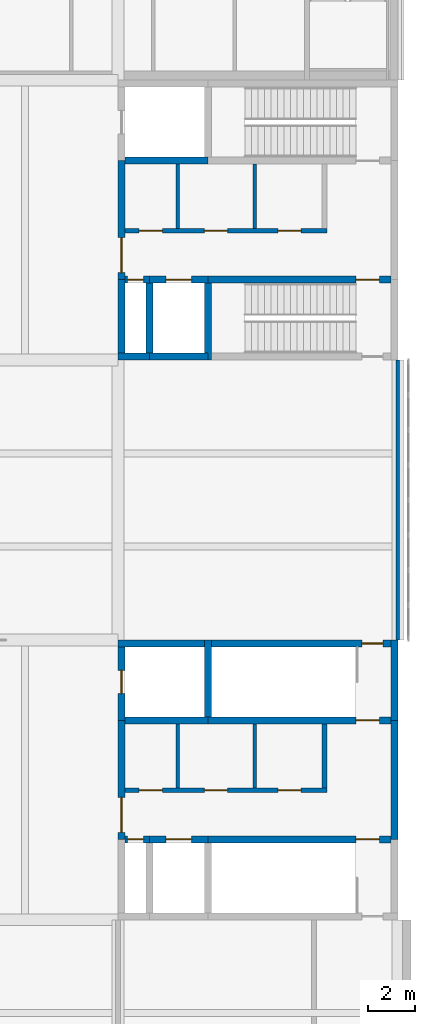
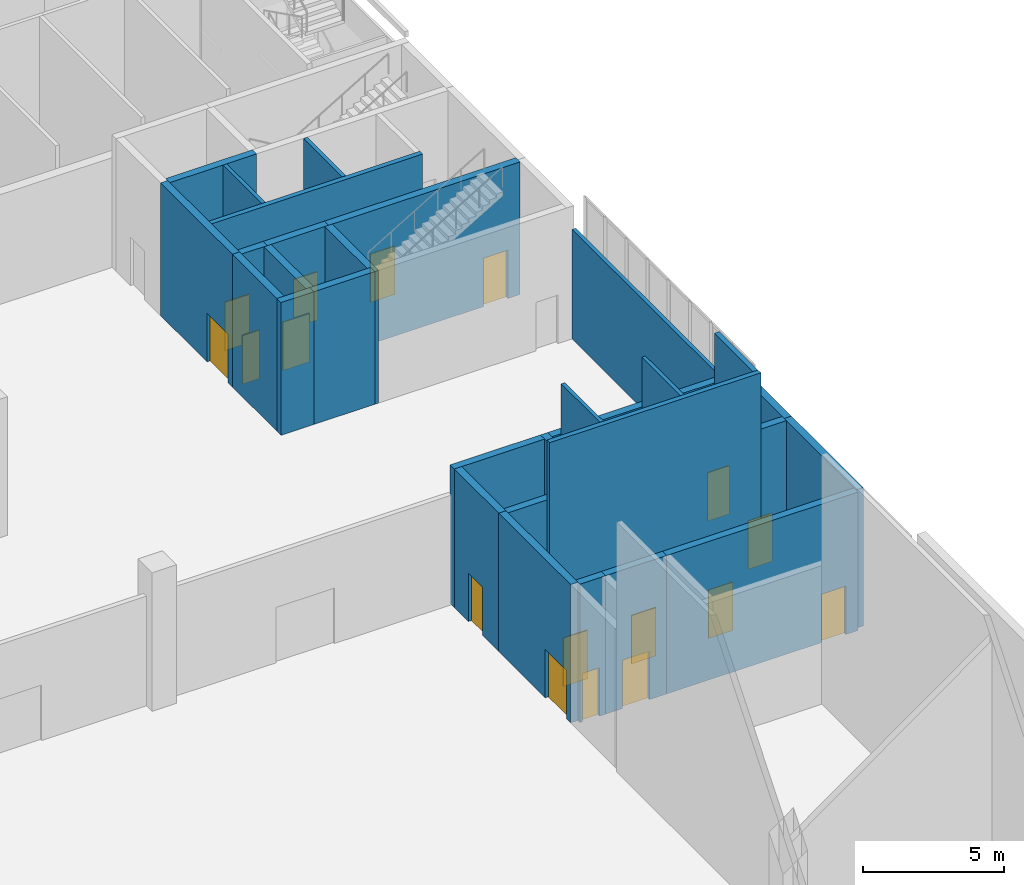
# One storey, part 62 of 72: 30 walls, 17 doors, 17 openings.
"""IFC4 building model written with IfcOpenShell, lengths in metres."""

from ifc_helpers import new_model, si_unit, direction, frame, frame_2d, origin, place, context, subcontext, project, spatial, rectangle, extrude, material, layer, layer_set, type_object, element, fill, save


model = new_model("IFC4")

# Units and contexts
model_context = context("Model", 3, precision=1e-05, world=origin(), true_north=direction((0.0, 1.0)))
body_context = subcontext(model_context, "Body", "Model", "MODEL_VIEW")
ifc_project = project(units=[si_unit("LENGTHUNIT", "METRE"), si_unit("AREAUNIT", "SQUARE_METRE"), si_unit("VOLUMEUNIT", "CUBIC_METRE"), si_unit("PLANEANGLEUNIT", "RADIAN"), si_unit("MASSUNIT", "GRAM", prefix="KILO")], contexts=[model_context])

# Site, building, storey
site_placement = place(None, origin())
site = spatial("IfcSite", under=ifc_project, at=site_placement, CompositionType="ELEMENT")
building_placement = place(site_placement, origin())
building = spatial("IfcBuilding", under=site, at=building_placement, Name="Lilac Gate Convention Centre", CompositionType="ELEMENT")
storey_placement = place(building_placement, frame((0.0, 0.0, 6.0)))
storey = spatial("IfcBuildingStorey", under=building, at=storey_placement, Name="L01", CompositionType="ELEMENT", Elevation=6.0)

# Walls
ifc_material_1 = material(Name="Fire-rated gypsum board on steel stud", Category="steel")
ifc_layer_1 = layer(ifc_material_1, 0.14990234375)
ifc_layer_set_1 = layer_set([ifc_layer_1], Name="Fire-rated gypsum board on steel stud")
wall_type_1 = type_object("IfcWallType", Name="Partition 150 fire-rated gypsum board EI 60", PredefinedType="PARTITIONING", material=ifc_layer_set_1)
wall_1_placement = place(storey_placement, frame((80.550048828125, 191.64990234375, 0.0), z_axis=(0.0, 0.0, 1.0), x_axis=(0.0, 1.0, 0.0)))
element("IfcWall", 1, at=wall_1_placement, inside=storey, type_object=wall_type_1, Name="Partition 150 fire-rated gypsum board EI 60", PredefinedType="PARTITIONING", context=body_context, shape_type="SweptSolid", body=[
    extrude(rectangle(XDim=2.75, YDim=0.14990234375, at=frame_2d((1.375, 0.0))), origin(), (0.0, 0.0, 1.0), 10.824951171875),
])
wall_2_placement = place(storey_placement, frame((80.550048828125, 215.64990234375, 0.0), z_axis=(0.0, 0.0, 1.0), x_axis=(0.0, 1.0, 0.0)))
element("IfcWall", 2, at=wall_2_placement, inside=storey, type_object=wall_type_1, Name="Partition 150 fire-rated gypsum board EI 60", PredefinedType="PARTITIONING", context=body_context, shape_type="SweptSolid", body=[
    extrude(rectangle(XDim=2.75, YDim=0.14990234375, at=frame_2d((1.375, 0.0))), origin(), (0.0, 0.0, 1.0), 5.75),
])
wall_3_placement = place(storey_placement, frame((83.85009765625, 191.64990234375, 0.0), z_axis=(0.0, 0.0, 1.0), x_axis=(0.0, 1.0, 0.0)))
element("IfcWall", 3, at=wall_3_placement, inside=storey, type_object=wall_type_1, Name="Partition 150 fire-rated gypsum board EI 60", PredefinedType="PARTITIONING", context=body_context, shape_type="SweptSolid", body=[
    extrude(rectangle(XDim=2.75, YDim=0.14990234375, at=frame_2d((1.375, 0.0))), origin(), (0.0, 0.0, 1.0), 10.824951171875),
])
wall_4_placement = place(storey_placement, frame((83.85009765625, 215.64990234375, 0.0), z_axis=(0.0, 0.0, 1.0), x_axis=(0.0, 1.0, 0.0)))
element("IfcWall", 4, at=wall_4_placement, inside=storey, type_object=wall_type_1, Name="Partition 150 fire-rated gypsum board EI 60", PredefinedType="PARTITIONING", context=body_context, shape_type="SweptSolid", body=[
    extrude(rectangle(XDim=2.75, YDim=0.14990234375, at=frame_2d((1.375, 0.0))), origin(), (0.0, 0.0, 1.0), 5.75),
])
wall_5_placement = place(storey_placement, frame((90.0, 198.0, 0.0), z_axis=(0.0, 0.0, 1.0), x_axis=(0.0, 1.0, 0.0)))
element("IfcWall", 5, at=wall_5_placement, inside=storey, type_object=wall_type_1, Name="Partition 150 fire-rated gypsum board EI 60", PredefinedType="PARTITIONING", context=body_context, shape_type="SweptSolid", body=[
    extrude(rectangle(XDim=12.0, YDim=0.14990234375, at=frame_2d((6.0, 0.0))), origin(), (0.0, 0.0, 1.0), 4.75),
])

# Wall, openings, doors
ifc_material_2 = material(Name="Clay brick masonry", Category="masonry")
ifc_layer_2 = layer(ifc_material_2, 0.199951171875)
ifc_layer_set_2 = layer_set([ifc_layer_2], Name="Clay brick masonry")
wall_type_2 = type_object("IfcWallType", Name="Partition 200 brick EI 60", PredefinedType="PARTITIONING", material=ifc_layer_set_2)
wall_6_placement = place(storey_placement, frame((78.300048828125, 191.550048828125, 0.0), z_axis=(0.0, 0.0, 1.0), x_axis=(1.0, 0.0, 0.0)))
wall_6 = element("IfcWall", 6, at=wall_6_placement, inside=storey, type_object=wall_type_2, Name="Partition 200 brick EI 60", PredefinedType="PARTITIONING", context=body_context, shape_type="SweptSolid", body=[
    extrude(rectangle(XDim=8.64990234375, YDim=0.199951171875, at=frame_2d((4.324951171875, 0.0))), origin(), (0.0, 0.0, 1.0), 10.824951171875),
])
opening_1_placement = place(wall_6_placement, frame((0.60009765625, 0.0, 0.0)))
opening_1 = element("IfcOpeningElement", 7, at=opening_1_placement, cuts=wall_6, Name="Opening L01-087", PredefinedType="OPENING", context=body_context, shape_type="SweptSolid", body=[
    extrude(rectangle(XDim=1.0, YDim=2.10009765625, at=frame_2d((0.5, 1.050048828125))), frame((0.0, 0.10986328125, 0.0), z_axis=(0.0, -1.0, 0.0), x_axis=(1.0, 0.0, 0.0)), (0.0, 0.0, 1.0), 0.219970703125),
])
opening_2_placement = place(wall_6_placement, frame((3.39990234375, 0.0, 0.0)))
opening_2 = element("IfcOpeningElement", 8, at=opening_2_placement, cuts=wall_6, Name="Opening L01-088", PredefinedType="OPENING", context=body_context, shape_type="SweptSolid", body=[
    extrude(rectangle(XDim=1.0, YDim=2.10009765625, at=frame_2d((0.5, 1.050048828125))), frame((0.0, 0.10986328125, 0.0), z_axis=(0.0, -1.0, 0.0), x_axis=(1.0, 0.0, 0.0)), (0.0, 0.0, 1.0), 0.219970703125),
])
opening_3_placement = place(wall_6_placement, frame((6.550048828125, 0.0, 0.0)))
opening_3 = element("IfcOpeningElement", 9, at=opening_3_placement, cuts=wall_6, Name="Opening L01-089", PredefinedType="OPENING", context=body_context, shape_type="SweptSolid", body=[
    extrude(rectangle(XDim=1.0, YDim=2.10009765625, at=frame_2d((0.5, 1.050048828125))), frame((0.0, 0.10986328125, 0.0), z_axis=(0.0, -1.0, 0.0), x_axis=(1.0, 0.0, 0.0)), (0.0, 0.0, 1.0), 0.219970703125),
])
ifc_material_3 = material(Name="Timber fire door leaf", Category="wood")
door_type_1 = type_object("IfcDoorType", Name="Door 1000 x 2100 single leaf FD30", OperationType="SINGLE_SWING_LEFT", PredefinedType="DOOR", material=ifc_material_3)
door_1_placement = place(opening_1_placement, origin())
door_1 = element("IfcDoor", 10, at=door_1_placement, inside=storey, type_object=door_type_1, Name="Accessible WC door L01-087", OperationType="SINGLE_SWING_RIGHT", OverallHeight=2.10009765625, OverallWidth=1.0, PredefinedType="DOOR", context=body_context, shape_type="SweptSolid", body=[
    extrude(rectangle(XDim=1.0, YDim=2.10009765625, at=frame_2d((0.5, 1.050048828125))), frame((0.0, 0.02490234375, 0.0), z_axis=(0.0, -1.0, 0.0), x_axis=(1.0, 0.0, 0.0)), (0.0, 0.0, 1.0), 0.050048828125),
])
fill(opening_1, door_1)
door_2_placement = place(opening_2_placement, origin())
door_2 = element("IfcDoor", 11, at=door_2_placement, inside=storey, type_object=door_type_1, Name="WC door L01-088", OperationType="SINGLE_SWING_LEFT", OverallHeight=2.10009765625, OverallWidth=1.0, PredefinedType="DOOR", context=body_context, shape_type="SweptSolid", body=[
    extrude(rectangle(XDim=1.0, YDim=2.10009765625, at=frame_2d((0.5, 1.050048828125))), frame((0.0, 0.02490234375, 0.0), z_axis=(0.0, -1.0, 0.0), x_axis=(1.0, 0.0, 0.0)), (0.0, 0.0, 1.0), 0.050048828125),
])
fill(opening_2, door_2)
door_3_placement = place(opening_3_placement, origin())
door_3 = element("IfcDoor", 12, at=door_3_placement, inside=storey, type_object=door_type_1, Name="WC door L01-089", OperationType="SINGLE_SWING_RIGHT", OverallHeight=2.10009765625, OverallWidth=1.0, PredefinedType="DOOR", context=body_context, shape_type="SweptSolid", body=[
    extrude(rectangle(XDim=1.0, YDim=2.10009765625, at=frame_2d((0.5, 1.050048828125))), frame((0.0, 0.02490234375, 0.0), z_axis=(0.0, -1.0, 0.0), x_axis=(1.0, 0.0, 0.0)), (0.0, 0.0, 1.0), 0.050048828125),
])
fill(opening_3, door_3)

wall_7_placement = place(storey_placement, frame((78.300048828125, 215.550048828125, 0.0), z_axis=(0.0, 0.0, 1.0), x_axis=(1.0, 0.0, 0.0)))
wall_7 = element("IfcWall", 13, at=wall_7_placement, inside=storey, type_object=wall_type_2, Name="Partition 200 brick EI 60", PredefinedType="PARTITIONING", context=body_context, shape_type="SweptSolid", body=[
    extrude(rectangle(XDim=8.64990234375, YDim=0.199951171875, at=frame_2d((4.324951171875, 0.0))), origin(), (0.0, 0.0, 1.0), 5.75),
])
opening_4_placement = place(wall_7_placement, frame((0.60009765625, 0.0, 0.0)))
opening_4 = element("IfcOpeningElement", 14, at=opening_4_placement, cuts=wall_7, Name="Opening L01-111", PredefinedType="OPENING", context=body_context, shape_type="SweptSolid", body=[
    extrude(rectangle(XDim=1.0, YDim=2.10009765625, at=frame_2d((0.5, 1.050048828125))), frame((0.0, 0.10986328125, 0.0), z_axis=(0.0, -1.0, 0.0), x_axis=(1.0, 0.0, 0.0)), (0.0, 0.0, 1.0), 0.219970703125),
])
opening_5_placement = place(wall_7_placement, frame((3.39990234375, 0.0, 0.0)))
opening_5 = element("IfcOpeningElement", 15, at=opening_5_placement, cuts=wall_7, Name="Opening L01-112", PredefinedType="OPENING", context=body_context, shape_type="SweptSolid", body=[
    extrude(rectangle(XDim=1.0, YDim=2.10009765625, at=frame_2d((0.5, 1.050048828125))), frame((0.0, 0.10986328125, 0.0), z_axis=(0.0, -1.0, 0.0), x_axis=(1.0, 0.0, 0.0)), (0.0, 0.0, 1.0), 0.219970703125),
])
opening_6_placement = place(wall_7_placement, frame((6.550048828125, 0.0, 0.0)))
opening_6 = element("IfcOpeningElement", 16, at=opening_6_placement, cuts=wall_7, Name="Opening L01-113", PredefinedType="OPENING", context=body_context, shape_type="SweptSolid", body=[
    extrude(rectangle(XDim=1.0, YDim=2.10009765625, at=frame_2d((0.5, 1.050048828125))), frame((0.0, 0.10986328125, 0.0), z_axis=(0.0, -1.0, 0.0), x_axis=(1.0, 0.0, 0.0)), (0.0, 0.0, 1.0), 0.219970703125),
])
door_4_placement = place(opening_4_placement, origin())
door_4 = element("IfcDoor", 17, at=door_4_placement, inside=storey, type_object=door_type_1, Name="Accessible WC door L01-111", OperationType="SINGLE_SWING_RIGHT", OverallHeight=2.10009765625, OverallWidth=1.0, PredefinedType="DOOR", context=body_context, shape_type="SweptSolid", body=[
    extrude(rectangle(XDim=1.0, YDim=2.10009765625, at=frame_2d((0.5, 1.050048828125))), frame((0.0, 0.02490234375, 0.0), z_axis=(0.0, -1.0, 0.0), x_axis=(1.0, 0.0, 0.0)), (0.0, 0.0, 1.0), 0.050048828125),
])
fill(opening_4, door_4)
door_5_placement = place(opening_5_placement, origin())
door_5 = element("IfcDoor", 18, at=door_5_placement, inside=storey, type_object=door_type_1, Name="WC door L01-112", OperationType="SINGLE_SWING_LEFT", OverallHeight=2.10009765625, OverallWidth=1.0, PredefinedType="DOOR", context=body_context, shape_type="SweptSolid", body=[
    extrude(rectangle(XDim=1.0, YDim=2.10009765625, at=frame_2d((0.5, 1.050048828125))), frame((0.0, 0.02490234375, 0.0), z_axis=(0.0, -1.0, 0.0), x_axis=(1.0, 0.0, 0.0)), (0.0, 0.0, 1.0), 0.050048828125),
])
fill(opening_5, door_5)
door_6_placement = place(opening_6_placement, origin())
door_6 = element("IfcDoor", 19, at=door_6_placement, inside=storey, type_object=door_type_1, Name="WC door L01-113", OperationType="SINGLE_SWING_RIGHT", OverallHeight=2.10009765625, OverallWidth=1.0, PredefinedType="DOOR", context=body_context, shape_type="SweptSolid", body=[
    extrude(rectangle(XDim=1.0, YDim=2.10009765625, at=frame_2d((0.5, 1.050048828125))), frame((0.0, 0.02490234375, 0.0), z_axis=(0.0, -1.0, 0.0), x_axis=(1.0, 0.0, 0.0)), (0.0, 0.0, 1.0), 0.050048828125),
])
fill(opening_6, door_6)

# Wall
wall_8_placement = place(storey_placement, frame((86.85009765625, 191.64990234375, 0.0), z_axis=(0.0, 0.0, 1.0), x_axis=(0.0, 1.0, 0.0)))
element("IfcWall", 20, at=wall_8_placement, inside=storey, type_object=wall_type_2, Name="Partition 200 brick EI 60", PredefinedType="PARTITIONING", context=body_context, shape_type="SweptSolid", body=[
    extrude(rectangle(XDim=2.75, YDim=0.199951171875, at=frame_2d((1.375, 0.0))), origin(), (0.0, 0.0, 1.0), 10.824951171875),
])

# Wall, opening, door
ifc_material_4 = material(Name="Concrete C40", Category="concrete")
ifc_layer_3 = layer(ifc_material_4, 0.300048828125)
ifc_layer_set_3 = layer_set([ifc_layer_3], Name="Concrete C40")
wall_type_3 = type_object("IfcWallType", Name="Shear wall 300 C40", PredefinedType="SHEAR", material=ifc_layer_set_3)
wall_9_placement = place(storey_placement, frame((90.0, 197.85009765625, 0.0), z_axis=(0.0, 0.0, 1.0), x_axis=(-1.0, 0.0, 0.0)))
wall_9 = element("IfcWall", 21, at=wall_9_placement, inside=storey, type_object=wall_type_3, Name="SW1 shear wall E3 L01 4", PredefinedType="SHEAR", context=body_context, shape_type="SweptSolid", body=[
    extrude(rectangle(XDim=8.14990234375, YDim=0.300048828125, at=frame_2d((4.074951171875, 0.0))), origin(), (0.0, 0.0, 1.0), 6.0),
])
opening_7_placement = place(wall_9_placement, frame((0.64990234375, 0.0, 0.0)))
opening_7 = element("IfcOpeningElement", 22, at=opening_7_placement, cuts=wall_9, Name="Opening L01-093", PredefinedType="OPENING", context=body_context, shape_type="SweptSolid", body=[
    extrude(rectangle(XDim=0.89990234375, YDim=2.10009765625, at=frame_2d((0.449951171875, 1.050048828125))), frame((0.0, 0.159912109375, 0.0), z_axis=(0.0, -1.0, 0.0), x_axis=(1.0, 0.0, 0.0)), (0.0, 0.0, 1.0), 0.320068359375),
])
door_type_2 = type_object("IfcDoorType", Name="Door 900 x 2100 single leaf FD60", OperationType="SINGLE_SWING_LEFT", PredefinedType="DOOR", material=ifc_material_3)
door_7_placement = place(opening_7_placement, origin())
door_7 = element("IfcDoor", 23, at=door_7_placement, inside=storey, type_object=door_type_2, Name="Stair door L01-093", OperationType="SINGLE_SWING_RIGHT", OverallHeight=2.10009765625, OverallWidth=0.89990234375, PredefinedType="DOOR", context=body_context, shape_type="SweptSolid", body=[
    extrude(rectangle(XDim=0.89990234375, YDim=2.10009765625, at=frame_2d((0.449951171875, 1.050048828125))), frame((0.0, 0.02490234375, 0.0), z_axis=(0.0, -1.0, 0.0), x_axis=(1.0, 0.0, 0.0)), (0.0, 0.0, 1.0), 0.050048828125),
])
fill(opening_7, door_7)

# Wall
wall_10_placement = place(storey_placement, frame((81.85009765625, 197.85009765625, 0.0), z_axis=(0.0, 0.0, 1.0), x_axis=(-1.0, 0.0, 0.0)))
element("IfcWall", 24, at=wall_10_placement, inside=storey, type_object=wall_type_3, Name="SW1 shear wall E3 L01 5", PredefinedType="SHEAR", context=body_context, shape_type="SweptSolid", body=[
    extrude(rectangle(XDim=3.85009765625, YDim=0.300048828125, at=frame_2d((1.925048828125, 0.0))), origin(), (0.0, 0.0, 1.0), 6.0),
])

# Wall, opening, door
wall_11_placement = place(storey_placement, frame((89.699951171875, 189.449951171875, 0.0), z_axis=(0.0, 0.0, 1.0), x_axis=(-1.0, 0.0, 0.0)))
wall_11 = element("IfcWall", 25, at=wall_11_placement, inside=storey, type_object=wall_type_3, Name="SW1 shear wall E3 L01 6", PredefinedType="SHEAR", context=body_context, shape_type="SweptSolid", body=[
    extrude(rectangle(XDim=7.849853515625, YDim=0.300048828125, at=frame_2d((3.9248046875, 0.0))), origin(), (0.0, 0.0, 1.0), 6.0),
])
opening_8_placement = place(wall_11_placement, frame((0.5, 0.0, 0.0)))
opening_8 = element("IfcOpeningElement", 26, at=opening_8_placement, cuts=wall_11, Name="Opening L01-085", PredefinedType="OPENING", context=body_context, shape_type="SweptSolid", body=[
    extrude(rectangle(XDim=1.0, YDim=2.10009765625, at=frame_2d((0.5, 1.050048828125))), frame((0.0, 0.159912109375, 0.0), z_axis=(0.0, -1.0, 0.0), x_axis=(1.0, 0.0, 0.0)), (0.0, 0.0, 1.0), 0.320068359375),
])
door_type_3 = type_object("IfcDoorType", Name="Door 1000 x 2100 single leaf FD60", OperationType="SINGLE_SWING_LEFT", PredefinedType="DOOR", material=ifc_material_3)
door_8_placement = place(opening_8_placement, origin())
door_8 = element("IfcDoor", 27, at=door_8_placement, inside=storey, type_object=door_type_3, Name="Stair door L01-085", OperationType="SINGLE_SWING_RIGHT", OverallHeight=2.10009765625, OverallWidth=1.0, PredefinedType="DOOR", context=body_context, shape_type="SweptSolid", body=[
    extrude(rectangle(XDim=1.0, YDim=2.10009765625, at=frame_2d((0.5, 1.050048828125))), frame((0.0, 0.02490234375, 0.0), z_axis=(0.0, -1.0, 0.0), x_axis=(1.0, 0.0, 0.0)), (0.0, 0.0, 1.0), 0.050048828125),
])
fill(opening_8, door_8)

wall_12_placement = place(storey_placement, frame((81.85009765625, 189.449951171875, 0.0), z_axis=(0.0, 0.0, 1.0), x_axis=(-1.0, 0.0, 0.0)))
wall_12 = element("IfcWall", 28, at=wall_12_placement, inside=storey, type_object=wall_type_3, Name="SW1 shear wall E3 L01 7", PredefinedType="SHEAR", context=body_context, shape_type="SweptSolid", body=[
    extrude(rectangle(XDim=2.5, YDim=0.300048828125, at=frame_2d((1.25, 0.0))), origin(), (0.0, 0.0, 1.0), 6.0),
])
opening_9_placement = place(wall_12_placement, frame((0.699951171875, 0.0, 0.0)))
opening_9 = element("IfcOpeningElement", 29, at=opening_9_placement, cuts=wall_12, Name="Opening LDE3-01", PredefinedType="OPENING", context=body_context, shape_type="SweptSolid", body=[
    extrude(rectangle(XDim=1.10009765625, YDim=2.10009765625, at=frame_2d((0.550048828125, 1.050048828125))), frame((0.0, 0.159912109375, 0.0), z_axis=(0.0, -1.0, 0.0), x_axis=(1.0, 0.0, 0.0)), (0.0, 0.0, 1.0), 0.320068359375),
])
ifc_material_5 = material(Name="Stainless steel 304", Category="steel")
door_type_4 = type_object("IfcDoorType", Name="Lift landing door 1100 x 2100", OperationType="SLIDING_TO_LEFT", PredefinedType="DOOR", material=ifc_material_5)
door_9_placement = place(opening_9_placement, origin())
door_9 = element("IfcDoor", 30, at=door_9_placement, inside=storey, type_object=door_type_4, Name="Lift landing door LDE3-01", OperationType="SLIDING_TO_LEFT", OverallHeight=2.10009765625, OverallWidth=1.10009765625, PredefinedType="DOOR", context=body_context, shape_type="SweptSolid", body=[
    extrude(rectangle(XDim=1.10009765625, YDim=2.10009765625, at=frame_2d((0.550048828125, 1.050048828125))), frame((0.0, 0.02490234375, 0.0), z_axis=(0.0, -1.0, 0.0), x_axis=(1.0, 0.0, 0.0)), (0.0, 0.0, 1.0), 0.050048828125),
])
fill(opening_9, door_9)

wall_13_placement = place(storey_placement, frame((79.35009765625, 189.449951171875, 0.0), z_axis=(0.0, 0.0, 1.0), x_axis=(-1.0, 0.0, 0.0)))
wall_13 = element("IfcWall", 31, at=wall_13_placement, inside=storey, type_object=wall_type_3, Name="SW1 shear wall E3 L01 8", PredefinedType="SHEAR", context=body_context, shape_type="SweptSolid", body=[
    extrude(rectangle(XDim=1.050048828125, YDim=0.300048828125, at=frame_2d((0.52490234375, 0.0))), origin(), (0.0, 0.0, 1.0), 6.0),
])
opening_10_placement = place(wall_13_placement, frame((0.25, 0.0, 0.0)))
opening_10 = element("IfcOpeningElement", 32, at=opening_10_placement, cuts=wall_13, Name="Opening L01-084", PredefinedType="OPENING", context=body_context, shape_type="SweptSolid", body=[
    extrude(rectangle(XDim=0.699951171875, YDim=2.10009765625, at=frame_2d((0.35009765625, 1.050048828125))), frame((0.0, 0.159912109375, 0.0), z_axis=(0.0, -1.0, 0.0), x_axis=(1.0, 0.0, 0.0)), (0.0, 0.0, 1.0), 0.320068359375),
])
door_type_5 = type_object("IfcDoorType", Name="Door 700 x 2100 single leaf FD30", OperationType="SINGLE_SWING_LEFT", PredefinedType="DOOR", material=ifc_material_3)
door_10_placement = place(opening_10_placement, origin())
door_10 = element("IfcDoor", 33, at=door_10_placement, inside=storey, type_object=door_type_5, Name="Riser access door L01-084", OperationType="SINGLE_SWING_LEFT", OverallHeight=2.10009765625, OverallWidth=0.699951171875, PredefinedType="DOOR", context=body_context, shape_type="SweptSolid", body=[
    extrude(rectangle(XDim=0.699951171875, YDim=2.10009765625, at=frame_2d((0.35009765625, 1.050048828125))), frame((0.0, 0.02490234375, 0.0), z_axis=(0.0, -1.0, 0.0), x_axis=(1.0, 0.0, 0.0)), (0.0, 0.0, 1.0), 0.050048828125),
])
fill(opening_10, door_10)

wall_14_placement = place(storey_placement, frame((89.699951171875, 194.550048828125, 0.0), z_axis=(0.0, 0.0, 1.0), x_axis=(-1.0, 0.0, 0.0)))
wall_14 = element("IfcWall", 34, at=wall_14_placement, inside=storey, type_object=wall_type_3, Name="SW1 shear wall E3 L01 9", PredefinedType="SHEAR", context=body_context, shape_type="SweptSolid", body=[
    extrude(rectangle(XDim=7.849853515625, YDim=0.300048828125, at=frame_2d((3.9248046875, 0.0))), origin(), (0.0, 0.0, 1.0), 6.0),
])
opening_11_placement = place(wall_14_placement, frame((0.5, 0.0, 0.0)))
opening_11 = element("IfcOpeningElement", 35, at=opening_11_placement, cuts=wall_14, Name="Opening L01-090", PredefinedType="OPENING", context=body_context, shape_type="SweptSolid", body=[
    extrude(rectangle(XDim=1.0, YDim=2.10009765625, at=frame_2d((0.5, 1.050048828125))), frame((0.0, 0.159912109375, 0.0), z_axis=(0.0, -1.0, 0.0), x_axis=(1.0, 0.0, 0.0)), (0.0, 0.0, 1.0), 0.320068359375),
])
door_11_placement = place(opening_11_placement, frame((1.0, 0.0, 0.0), z_axis=(0.0, 0.0, 1.0), x_axis=(-1.0, 0.0, 0.0)))
door_11 = element("IfcDoor", 36, at=door_11_placement, inside=storey, type_object=door_type_3, Name="Stair door L01-090", OperationType="SINGLE_SWING_LEFT", OverallHeight=2.10009765625, OverallWidth=1.0, PredefinedType="DOOR", context=body_context, shape_type="SweptSolid", body=[
    extrude(rectangle(XDim=1.0, YDim=2.10009765625, at=frame_2d((0.5, 1.050048828125))), frame((0.0, 0.02490234375, 0.0), z_axis=(0.0, -1.0, 0.0), x_axis=(1.0, 0.0, 0.0)), (0.0, 0.0, 1.0), 0.050048828125),
])
fill(opening_11, door_11)

# Walls
wall_15_placement = place(storey_placement, frame((81.85009765625, 194.550048828125, 0.0), z_axis=(0.0, 0.0, 1.0), x_axis=(-1.0, 0.0, 0.0)))
element("IfcWall", 37, at=wall_15_placement, inside=storey, type_object=wall_type_3, Name="SW1 shear wall E3 L01 10", PredefinedType="SHEAR", context=body_context, shape_type="SweptSolid", body=[
    extrude(rectangle(XDim=3.550048828125, YDim=0.300048828125, at=frame_2d((1.77490234375, 0.0))), origin(), (0.0, 0.0, 1.0), 6.0),
])
wall_16_placement = place(storey_placement, frame((89.85009765625, 189.449951171875, 0.0), z_axis=(0.0, 0.0, 1.0), x_axis=(0.0, 1.0, 0.0)))
element("IfcWall", 38, at=wall_16_placement, inside=storey, type_object=wall_type_3, Name="SW1 shear wall E3 L01 12", PredefinedType="SHEAR", context=body_context, shape_type="SweptSolid", body=[
    extrude(rectangle(XDim=5.10009765625, YDim=0.300048828125, at=frame_2d((2.550048828125, 0.0))), origin(), (0.0, 0.0, 1.0), 6.0),
])
wall_17_placement = place(storey_placement, frame((89.85009765625, 194.550048828125, 0.0), z_axis=(0.0, 0.0, 1.0), x_axis=(0.0, 1.0, 0.0)))
element("IfcWall", 39, at=wall_17_placement, inside=storey, type_object=wall_type_3, Name="SW1 shear wall E3 L01 13", PredefinedType="SHEAR", context=body_context, shape_type="SweptSolid", body=[
    extrude(rectangle(XDim=3.449951171875, YDim=0.300048828125, at=frame_2d((1.72509765625, 0.0))), origin(), (0.0, 0.0, 1.0), 6.0),
])

# Wall, opening, door
wall_18_placement = place(storey_placement, frame((78.14990234375, 189.449951171875, 0.0), z_axis=(0.0, 0.0, 1.0), x_axis=(0.0, 1.0, 0.0)))
wall_18 = element("IfcWall", 40, at=wall_18_placement, inside=storey, type_object=wall_type_3, Name="SW1 shear wall E3 L01 15", PredefinedType="SHEAR", context=body_context, shape_type="SweptSolid", body=[
    extrude(rectangle(XDim=5.10009765625, YDim=0.300048828125, at=frame_2d((2.550048828125, 0.0))), origin(), (0.0, 0.0, 1.0), 6.0),
])
opening_12_placement = place(wall_18_placement, frame((0.300048828125, 0.0, 0.0)))
opening_12 = element("IfcOpeningElement", 41, at=opening_12_placement, cuts=wall_18, Name="Opening L01-086", PredefinedType="OPENING", context=body_context, shape_type="SweptSolid", body=[
    extrude(rectangle(XDim=1.5, YDim=2.10009765625, at=frame_2d((0.75, 1.050048828125))), frame((0.0, 0.159912109375, 0.0), z_axis=(0.0, -1.0, 0.0), x_axis=(1.0, 0.0, 0.0)), (0.0, 0.0, 1.0), 0.320068359375),
])
door_type_6 = type_object("IfcDoorType", Name="Door 1500 x 2100 double leaf FD30", OperationType="DOUBLE_DOOR_SINGLE_SWING", PredefinedType="DOOR", material=ifc_material_3)
door_12_placement = place(opening_12_placement, frame((1.5, 0.0, 0.0), z_axis=(0.0, 0.0, 1.0), x_axis=(-1.0, 0.0, 0.0)))
door_12 = element("IfcDoor", 42, at=door_12_placement, inside=storey, type_object=door_type_6, Name="Lobby door L01-086", OperationType="DOUBLE_DOOR_SINGLE_SWING", OverallHeight=2.10009765625, OverallWidth=1.5, PredefinedType="DOOR", context=body_context, shape_type="SweptSolid", body=[
    extrude(rectangle(XDim=1.5, YDim=2.10009765625, at=frame_2d((0.75, 1.050048828125))), frame((0.0, 0.02490234375, 0.0), z_axis=(0.0, -1.0, 0.0), x_axis=(1.0, 0.0, 0.0)), (0.0, 0.0, 1.0), 0.050048828125),
])
fill(opening_12, door_12)

wall_19_placement = place(storey_placement, frame((78.14990234375, 194.550048828125, 0.0), z_axis=(0.0, 0.0, 1.0), x_axis=(0.0, 1.0, 0.0)))
wall_19 = element("IfcWall", 43, at=wall_19_placement, inside=storey, type_object=wall_type_3, Name="SW1 shear wall E3 L01 16", PredefinedType="SHEAR", context=body_context, shape_type="SweptSolid", body=[
    extrude(rectangle(XDim=3.14990234375, YDim=0.300048828125, at=frame_2d((1.574951171875, 0.0))), origin(), (0.0, 0.0, 1.0), 6.0),
])
opening_13_placement = place(wall_19_placement, frame((1.14990234375, 0.0, 0.0)))
opening_13 = element("IfcOpeningElement", 44, at=opening_13_placement, cuts=wall_19, Name="Opening L01-092", PredefinedType="OPENING", context=body_context, shape_type="SweptSolid", body=[
    extrude(rectangle(XDim=1.0, YDim=2.10009765625, at=frame_2d((0.5, 1.050048828125))), frame((0.0, 0.159912109375, 0.0), z_axis=(0.0, -1.0, 0.0), x_axis=(1.0, 0.0, 0.0)), (0.0, 0.0, 1.0), 0.320068359375),
])
door_13_placement = place(opening_13_placement, frame((1.0, 0.0, 0.0), z_axis=(0.0, 0.0, 1.0), x_axis=(-1.0, 0.0, 0.0)))
door_13 = element("IfcDoor", 45, at=door_13_placement, inside=storey, type_object=door_type_1, Name="Riser access door L01-092", OperationType="SINGLE_SWING_LEFT", OverallHeight=2.10009765625, OverallWidth=1.0, PredefinedType="DOOR", context=body_context, shape_type="SweptSolid", body=[
    extrude(rectangle(XDim=1.0, YDim=2.10009765625, at=frame_2d((0.5, 1.050048828125))), frame((0.0, 0.02490234375, 0.0), z_axis=(0.0, -1.0, 0.0), x_axis=(1.0, 0.0, 0.0)), (0.0, 0.0, 1.0), 0.050048828125),
])
fill(opening_13, door_13)

# Walls
wall_20_placement = place(storey_placement, frame((81.85009765625, 194.699951171875, 0.0), z_axis=(0.0, 0.0, 1.0), x_axis=(0.0, 1.0, 0.0)))
element("IfcWall", 46, at=wall_20_placement, inside=storey, type_object=wall_type_3, Name="SW1 shear wall E3 L01 18", PredefinedType="SHEAR", context=body_context, shape_type="SweptSolid", body=[
    extrude(rectangle(XDim=3.300048828125, YDim=0.300048828125, at=frame_2d((1.64990234375, 0.0))), origin(), (0.0, 0.0, 1.0), 6.0),
])
wall_21_placement = place(storey_placement, frame((81.85009765625, 210.14990234375, 0.0), z_axis=(0.0, 0.0, 1.0), x_axis=(-1.0, 0.0, 0.0)))
element("IfcWall", 47, at=wall_21_placement, inside=storey, type_object=wall_type_3, Name="SW1 shear wall E4 L01 2", PredefinedType="SHEAR", context=body_context, shape_type="SweptSolid", body=[
    extrude(rectangle(XDim=2.5, YDim=0.300048828125, at=frame_2d((1.25, 0.0))), origin(), (0.0, 0.0, 1.0), 5.75),
])
wall_22_placement = place(storey_placement, frame((79.35009765625, 210.14990234375, 0.0), z_axis=(0.0, 0.0, 1.0), x_axis=(-1.0, 0.0, 0.0)))
element("IfcWall", 48, at=wall_22_placement, inside=storey, type_object=wall_type_3, Name="SW1 shear wall E4 L01 3", PredefinedType="SHEAR", context=body_context, shape_type="SweptSolid", body=[
    extrude(rectangle(XDim=1.35009765625, YDim=0.300048828125, at=frame_2d((0.675048828125, 0.0))), origin(), (0.0, 0.0, 1.0), 5.75),
])

# Wall, opening, door
wall_23_placement = place(storey_placement, frame((89.699951171875, 213.449951171875, 0.0), z_axis=(0.0, 0.0, 1.0), x_axis=(-1.0, 0.0, 0.0)))
wall_23 = element("IfcWall", 49, at=wall_23_placement, inside=storey, type_object=wall_type_3, Name="SW1 shear wall E4 L01 6", PredefinedType="SHEAR", context=body_context, shape_type="SweptSolid", body=[
    extrude(rectangle(XDim=7.849853515625, YDim=0.300048828125, at=frame_2d((3.9248046875, 0.0))), origin(), (0.0, 0.0, 1.0), 5.75),
])
opening_14_placement = place(wall_23_placement, frame((0.5, 0.0, 0.0)))
opening_14 = element("IfcOpeningElement", 50, at=opening_14_placement, cuts=wall_23, Name="Opening L01-105", PredefinedType="OPENING", context=body_context, shape_type="SweptSolid", body=[
    extrude(rectangle(XDim=1.0, YDim=2.10009765625, at=frame_2d((0.5, 1.050048828125))), frame((0.0, 0.159912109375, 0.0), z_axis=(0.0, -1.0, 0.0), x_axis=(1.0, 0.0, 0.0)), (0.0, 0.0, 1.0), 0.320068359375),
])
door_14_placement = place(opening_14_placement, origin())
door_14 = element("IfcDoor", 51, at=door_14_placement, inside=storey, type_object=door_type_3, Name="Stair door L01-105", OperationType="SINGLE_SWING_RIGHT", OverallHeight=2.10009765625, OverallWidth=1.0, PredefinedType="DOOR", context=body_context, shape_type="SweptSolid", body=[
    extrude(rectangle(XDim=1.0, YDim=2.10009765625, at=frame_2d((0.5, 1.050048828125))), frame((0.0, 0.02490234375, 0.0), z_axis=(0.0, -1.0, 0.0), x_axis=(1.0, 0.0, 0.0)), (0.0, 0.0, 1.0), 0.050048828125),
])
fill(opening_14, door_14)

wall_24_placement = place(storey_placement, frame((81.85009765625, 213.449951171875, 0.0), z_axis=(0.0, 0.0, 1.0), x_axis=(-1.0, 0.0, 0.0)))
wall_24 = element("IfcWall", 52, at=wall_24_placement, inside=storey, type_object=wall_type_3, Name="SW1 shear wall E4 L01 7", PredefinedType="SHEAR", context=body_context, shape_type="SweptSolid", body=[
    extrude(rectangle(XDim=2.5, YDim=0.300048828125, at=frame_2d((1.25, 0.0))), origin(), (0.0, 0.0, 1.0), 5.75),
])
opening_15_placement = place(wall_24_placement, frame((0.699951171875, 0.0, 0.0)))
opening_15 = element("IfcOpeningElement", 53, at=opening_15_placement, cuts=wall_24, Name="Opening LDE4-01", PredefinedType="OPENING", context=body_context, shape_type="SweptSolid", body=[
    extrude(rectangle(XDim=1.10009765625, YDim=2.10009765625, at=frame_2d((0.550048828125, 1.050048828125))), frame((0.0, 0.159912109375, 0.0), z_axis=(0.0, -1.0, 0.0), x_axis=(1.0, 0.0, 0.0)), (0.0, 0.0, 1.0), 0.320068359375),
])
door_15_placement = place(opening_15_placement, origin())
door_15 = element("IfcDoor", 54, at=door_15_placement, inside=storey, type_object=door_type_4, Name="Lift landing door LDE4-01", OperationType="SLIDING_TO_LEFT", OverallHeight=2.10009765625, OverallWidth=1.10009765625, PredefinedType="DOOR", context=body_context, shape_type="SweptSolid", body=[
    extrude(rectangle(XDim=1.10009765625, YDim=2.10009765625, at=frame_2d((0.550048828125, 1.050048828125))), frame((0.0, 0.02490234375, 0.0), z_axis=(0.0, -1.0, 0.0), x_axis=(1.0, 0.0, 0.0)), (0.0, 0.0, 1.0), 0.050048828125),
])
fill(opening_15, door_15)

wall_25_placement = place(storey_placement, frame((79.35009765625, 213.449951171875, 0.0), z_axis=(0.0, 0.0, 1.0), x_axis=(-1.0, 0.0, 0.0)))
wall_25 = element("IfcWall", 55, at=wall_25_placement, inside=storey, type_object=wall_type_3, Name="SW1 shear wall E4 L01 8", PredefinedType="SHEAR", context=body_context, shape_type="SweptSolid", body=[
    extrude(rectangle(XDim=1.050048828125, YDim=0.300048828125, at=frame_2d((0.52490234375, 0.0))), origin(), (0.0, 0.0, 1.0), 5.75),
])
opening_16_placement = place(wall_25_placement, frame((0.25, 0.0, 0.0)))
opening_16 = element("IfcOpeningElement", 56, at=opening_16_placement, cuts=wall_25, Name="Opening L01-104", PredefinedType="OPENING", context=body_context, shape_type="SweptSolid", body=[
    extrude(rectangle(XDim=0.699951171875, YDim=2.10009765625, at=frame_2d((0.35009765625, 1.050048828125))), frame((0.0, 0.159912109375, 0.0), z_axis=(0.0, -1.0, 0.0), x_axis=(1.0, 0.0, 0.0)), (0.0, 0.0, 1.0), 0.320068359375),
])
door_16_placement = place(opening_16_placement, origin())
door_16 = element("IfcDoor", 57, at=door_16_placement, inside=storey, type_object=door_type_5, Name="Riser access door L01-104", OperationType="SINGLE_SWING_LEFT", OverallHeight=2.10009765625, OverallWidth=0.699951171875, PredefinedType="DOOR", context=body_context, shape_type="SweptSolid", body=[
    extrude(rectangle(XDim=0.699951171875, YDim=2.10009765625, at=frame_2d((0.35009765625, 1.050048828125))), frame((0.0, 0.02490234375, 0.0), z_axis=(0.0, -1.0, 0.0), x_axis=(1.0, 0.0, 0.0)), (0.0, 0.0, 1.0), 0.050048828125),
])
fill(opening_16, door_16)

# Walls
wall_26_placement = place(storey_placement, frame((81.85009765625, 218.550048828125, 0.0), z_axis=(0.0, 0.0, 1.0), x_axis=(-1.0, 0.0, 0.0)))
element("IfcWall", 58, at=wall_26_placement, inside=storey, type_object=wall_type_3, Name="SW1 shear wall E4 L01 10", PredefinedType="SHEAR", context=body_context, shape_type="SweptSolid", body=[
    extrude(rectangle(XDim=3.550048828125, YDim=0.300048828125, at=frame_2d((1.77490234375, 0.0))), origin(), (0.0, 0.0, 1.0), 5.75),
])
wall_27_placement = place(storey_placement, frame((78.14990234375, 210.300048828125, 0.0), z_axis=(0.0, 0.0, 1.0), x_axis=(0.0, 1.0, 0.0)))
element("IfcWall", 59, at=wall_27_placement, inside=storey, type_object=wall_type_3, Name="SW1 shear wall E4 L01 14", PredefinedType="SHEAR", context=body_context, shape_type="SweptSolid", body=[
    extrude(rectangle(XDim=3.14990234375, YDim=0.300048828125, at=frame_2d((1.574951171875, 0.0))), origin(), (0.0, 0.0, 1.0), 5.75),
])

# Wall, opening, door
wall_28_placement = place(storey_placement, frame((78.14990234375, 213.449951171875, 0.0), z_axis=(0.0, 0.0, 1.0), x_axis=(0.0, 1.0, 0.0)))
wall_28 = element("IfcWall", 60, at=wall_28_placement, inside=storey, type_object=wall_type_3, Name="SW1 shear wall E4 L01 15", PredefinedType="SHEAR", context=body_context, shape_type="SweptSolid", body=[
    extrude(rectangle(XDim=5.10009765625, YDim=0.300048828125, at=frame_2d((2.550048828125, 0.0))), origin(), (0.0, 0.0, 1.0), 5.75),
])
opening_17_placement = place(wall_28_placement, frame((0.300048828125, 0.0, 0.0)))
opening_17 = element("IfcOpeningElement", 61, at=opening_17_placement, cuts=wall_28, Name="Opening L01-107", PredefinedType="OPENING", context=body_context, shape_type="SweptSolid", body=[
    extrude(rectangle(XDim=1.5, YDim=2.10009765625, at=frame_2d((0.75, 1.050048828125))), frame((0.0, 0.159912109375, 0.0), z_axis=(0.0, -1.0, 0.0), x_axis=(1.0, 0.0, 0.0)), (0.0, 0.0, 1.0), 0.320068359375),
])
door_17_placement = place(opening_17_placement, frame((1.5, 0.0, 0.0), z_axis=(0.0, 0.0, 1.0), x_axis=(-1.0, 0.0, 0.0)))
door_17 = element("IfcDoor", 62, at=door_17_placement, inside=storey, type_object=door_type_6, Name="Lobby door L01-107", OperationType="DOUBLE_DOOR_SINGLE_SWING", OverallHeight=2.10009765625, OverallWidth=1.5, PredefinedType="DOOR", context=body_context, shape_type="SweptSolid", body=[
    extrude(rectangle(XDim=1.5, YDim=2.10009765625, at=frame_2d((0.75, 1.050048828125))), frame((0.0, 0.02490234375, 0.0), z_axis=(0.0, -1.0, 0.0), x_axis=(1.0, 0.0, 0.0)), (0.0, 0.0, 1.0), 0.050048828125),
])
fill(opening_17, door_17)

# Walls
wall_29_placement = place(storey_placement, frame((81.85009765625, 210.0, 0.0), z_axis=(0.0, 0.0, 1.0), x_axis=(0.0, 1.0, 0.0)))
element("IfcWall", 63, at=wall_29_placement, inside=storey, type_object=wall_type_3, Name="SW1 shear wall E4 L01 17", PredefinedType="SHEAR", context=body_context, shape_type="SweptSolid", body=[
    extrude(rectangle(XDim=3.300048828125, YDim=0.300048828125, at=frame_2d((1.64990234375, 0.0))), origin(), (0.0, 0.0, 1.0), 5.75),
])
wall_30_placement = place(storey_placement, frame((79.35009765625, 210.300048828125, 0.0), z_axis=(0.0, 0.0, 1.0), x_axis=(0.0, 1.0, 0.0)))
element("IfcWall", 64, at=wall_30_placement, inside=storey, type_object=wall_type_3, Name="SW1 shear wall E4 L01 19", PredefinedType="SHEAR", context=body_context, shape_type="SweptSolid", body=[
    extrude(rectangle(XDim=3.0, YDim=0.300048828125, at=frame_2d((1.5, 0.0))), origin(), (0.0, 0.0, 1.0), 5.75),
])

save(model, "model.ifc")
